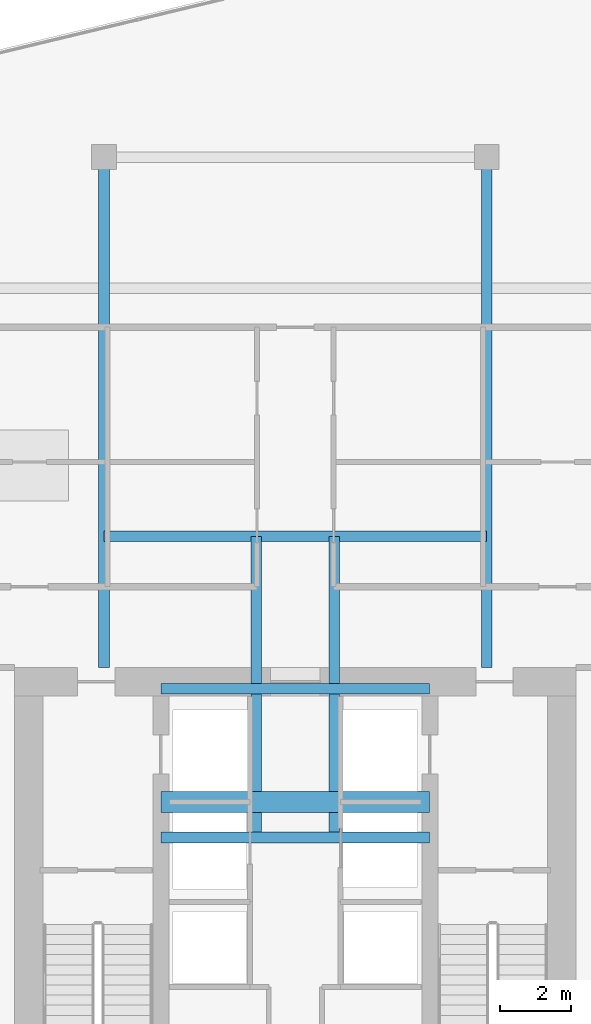
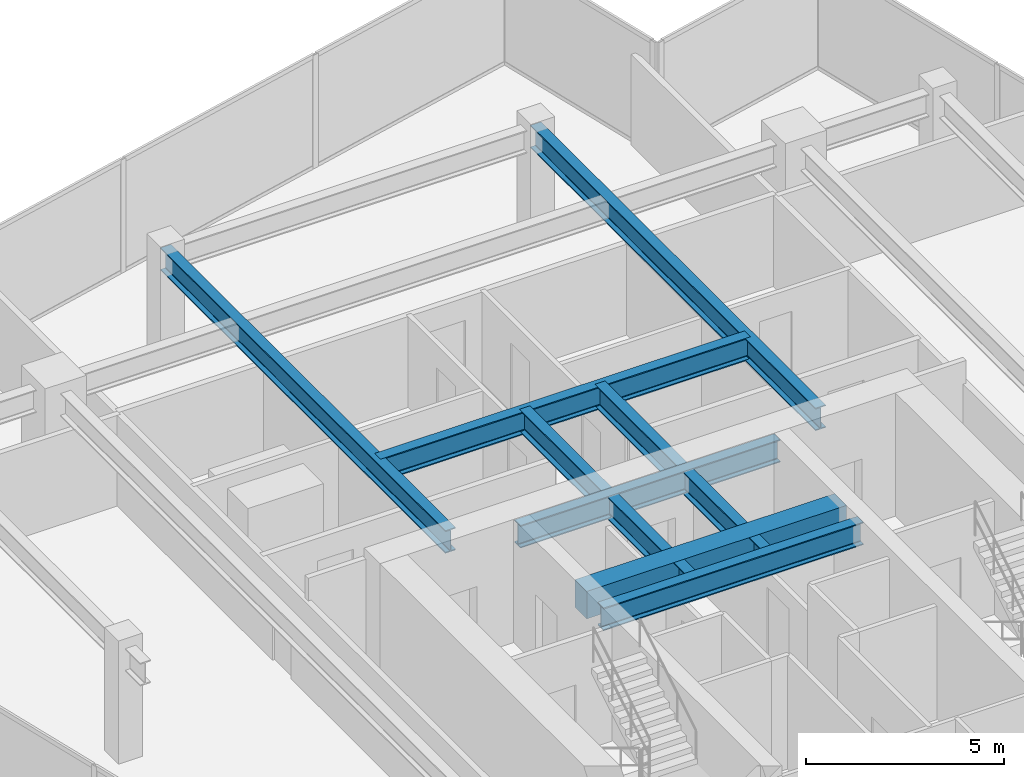
# One storey, part 8 of 19: 8 beams.
"""IFC4 building model written with IfcOpenShell, lengths in metres."""

from ifc_helpers import new_model, si_unit, direction, frame, origin, origin_2d, place, context, subcontext, project, spatial, rectangle, i_section, extrude, source, transform, mapped, material, material_profile, profile_set, type_object, type_shapes, element, save


model = new_model("IFC4")

# Units and contexts
model_context = context("Model", 3, precision=1e-05, world=origin(), true_north=direction((0.0, 1.0)))
body_context = subcontext(model_context, "Body", "Model", "MODEL_VIEW")
ifc_project = project(units=[si_unit("LENGTHUNIT", "METRE"), si_unit("AREAUNIT", "SQUARE_METRE"), si_unit("VOLUMEUNIT", "CUBIC_METRE"), si_unit("PLANEANGLEUNIT", "RADIAN"), si_unit("MASSUNIT", "GRAM", prefix="KILO")], contexts=[model_context])

# Site, building, storey
site_placement = place(None, origin())
site = spatial("IfcSite", under=ifc_project, at=site_placement, CompositionType="ELEMENT")
building_placement = place(site_placement, origin())
building = spatial("IfcBuilding", under=site, at=building_placement, Name="Krantzveldt Concourse Tower", CompositionType="ELEMENT")
storey_placement = place(building_placement, frame((0.0, 0.0, 363.25)))
storey = spatial("IfcBuildingStorey", under=building, at=storey_placement, Name="L89", CompositionType="ELEMENT", Elevation=363.25)

# Beams
ifc_material_1 = material(Name="Concrete C50/60", Category="concrete")
ifc_material_profile_1 = material_profile(ifc_material_1, rectangle(XDim=0.60009765625, YDim=0.85009765625, at=origin_2d()), Name="Concrete C50/60", Category="concrete")
ifc_profile_set_1 = profile_set([ifc_material_profile_1], Name="Concrete C50/60 - RC-CB 600x850")
beam_type_1 = type_object("IfcBeamType", Name="BM-CB-850", PredefinedType="LINTEL", material=ifc_profile_set_1)
shared_shape_1 = source(origin(), body_context, "Body", "SweptSolid", [
    extrude(rectangle(XDim=0.60009765625, YDim=0.85009765625, at=origin_2d()), origin(), (0.0, 0.0, 1.0), 7.580078125),
])
type_shapes(beam_type_1, [shared_shape_1])
beam_1_placement = place(storey_placement, frame((32.2099609375, 23.0, 3.074951171875), z_axis=(1.0, 0.0, 0.0), x_axis=(0.0, 1.0, 0.0)))
element("IfcBeam", 1, at=beam_1_placement, inside=storey, type_object=beam_type_1, Name="CB-L89-01", PredefinedType="LINTEL", context=body_context, shape_type="MappedRepresentation", body=[
    mapped(shared_shape_1, transform((0.0, 0.0, 0.0), x_axis=(1.0, 0.0, 0.0), y_axis=(0.0, 1.0, 0.0), z_axis=(0.0, 0.0, 1.0), scale=1.0)),
])
ifc_material_2 = material(Name="Steel S355J2", Category="steel")
ifc_material_profile_2 = material_profile(ifc_material_2, i_section(OverallWidth=0.300048828125, OverallDepth=0.699951171875, WebThickness=0.01708984375, FlangeThickness=0.031982421875, FilletRadius=0.027099609375, at=origin_2d()), Name="Steel S355J2", Category="steel")
ifc_profile_set_2 = profile_set([ifc_material_profile_2], Name="Steel S355J2 - HEB 700")
beam_type_2 = type_object("IfcBeamType", Name="BM-B-HEB700", PredefinedType="BEAM", material=ifc_profile_set_2)
shared_shape_2 = source(origin(), body_context, "Body", "SweptSolid", [
    extrude(i_section(OverallWidth=0.300048828125, OverallDepth=0.699951171875, WebThickness=0.01708984375, FlangeThickness=0.031982421875, FilletRadius=0.027099609375, at=origin_2d()), origin(), (0.0, 0.0, 1.0), 10.7998046875),
])
beam_2_placement = place(storey_placement, frame((30.60009765625, 30.5, 3.14990234375), z_axis=(1.0, 0.0, 0.0), x_axis=(0.0, 1.0, 0.0)))
element("IfcBeam", 2, at=beam_2_placement, inside=storey, type_object=beam_type_2, Name="L89 Crown Girder TSB-89-3", PredefinedType="BEAM", context=body_context, shape_type="MappedRepresentation", body=[
    mapped(shared_shape_2, transform((0.0, 0.0, 0.0), x_axis=(1.0, 0.0, 0.0), y_axis=(0.0, 1.0, 0.0), z_axis=(0.0, 0.0, 1.0), scale=1.0)),
])
shared_shape_3 = source(origin(), body_context, "Body", "SweptSolid", [
    extrude(i_section(OverallWidth=0.300048828125, OverallDepth=0.699951171875, WebThickness=0.01708984375, FlangeThickness=0.031982421875, FilletRadius=0.027099609375, at=origin_2d()), origin(), (0.0, 0.0, 1.0), 14.39990234375),
])
for number, where, z_axis, x_axis, name in (
    (3, (30.60009765625, 26.800048828125, 3.14990234375), (0.0, 1.0, 0.0), (-1.0, 0.0, 0.0), "L89 Crown Girder CBG-89-CNW"),
    (4, (41.39990234375, 26.800048828125, 3.14990234375), (0.0, 1.0, 0.0), (-1.0, 0.0, 0.0), "L89 Crown Girder CBG-89-CNE"),
):
    element("IfcBeam", number, at=place(storey_placement, frame(where, z_axis=z_axis, x_axis=x_axis)), inside=storey, type_object=beam_type_2, Name=name, PredefinedType="BEAM", context=body_context, shape_type="MappedRepresentation", body=[
        mapped(shared_shape_3, transform((0.0, 0.0, 0.0), x_axis=(1.0, 0.0, 0.0), y_axis=(0.0, 1.0, 0.0), z_axis=(0.0, 0.0, 1.0), scale=1.0)),
    ])
shared_shape_4 = source(origin(), body_context, "Body", "SweptSolid", [
    extrude(i_section(OverallWidth=0.300048828125, OverallDepth=0.699951171875, WebThickness=0.01708984375, FlangeThickness=0.031982421875, FilletRadius=0.027099609375, at=origin_2d()), origin(), (0.0, 0.0, 1.0), 7.580078125),
])
for number, where, z_axis, x_axis, name in (
    (5, (32.2099609375, 22.0, 3.14990234375), (1.0, 0.0, 0.0), (0.0, 1.0, 0.0), "L89 Crown Girder TSB-89-1"),
    (6, (32.2099609375, 26.199951171875, 3.14990234375), (1.0, 0.0, 0.0), (0.0, 1.0, 0.0), "L89 Crown Girder TSB-89-2"),
):
    element("IfcBeam", number, at=place(storey_placement, frame(where, z_axis=z_axis, x_axis=x_axis)), inside=storey, type_object=beam_type_2, Name=name, PredefinedType="BEAM", context=body_context, shape_type="MappedRepresentation", body=[
        mapped(shared_shape_4, transform((0.0, 0.0, 0.0), x_axis=(1.0, 0.0, 0.0), y_axis=(0.0, 1.0, 0.0), z_axis=(0.0, 0.0, 1.0), scale=1.0)),
    ])
shared_shape_5 = source(origin(), body_context, "Body", "SweptSolid", [
    extrude(i_section(OverallWidth=0.300048828125, OverallDepth=0.699951171875, WebThickness=0.01708984375, FlangeThickness=0.031982421875, FilletRadius=0.027099609375, at=origin_2d()), origin(), (0.0, 0.0, 1.0), 8.5),
])
type_shapes(beam_type_2, [shared_shape_2, shared_shape_3, shared_shape_4, shared_shape_5])
for number, where, z_axis, x_axis, name in (
    (7, (34.89990234375, 22.0, 3.14990234375), (0.0, 1.0, 0.0), (-1.0, 0.0, 0.0), "L89 Crown Girder TSB-89-W"),
    (8, (37.10009765625, 22.0, 3.14990234375), (0.0, 1.0, 0.0), (-1.0, 0.0, 0.0), "L89 Crown Girder TSB-89-E"),
):
    element("IfcBeam", number, at=place(storey_placement, frame(where, z_axis=z_axis, x_axis=x_axis)), inside=storey, type_object=beam_type_2, Name=name, PredefinedType="BEAM", context=body_context, shape_type="MappedRepresentation", body=[
        mapped(shared_shape_5, transform((0.0, 0.0, 0.0), x_axis=(1.0, 0.0, 0.0), y_axis=(0.0, 1.0, 0.0), z_axis=(0.0, 0.0, 1.0), scale=1.0)),
    ])

save(model, "model.ifc")
